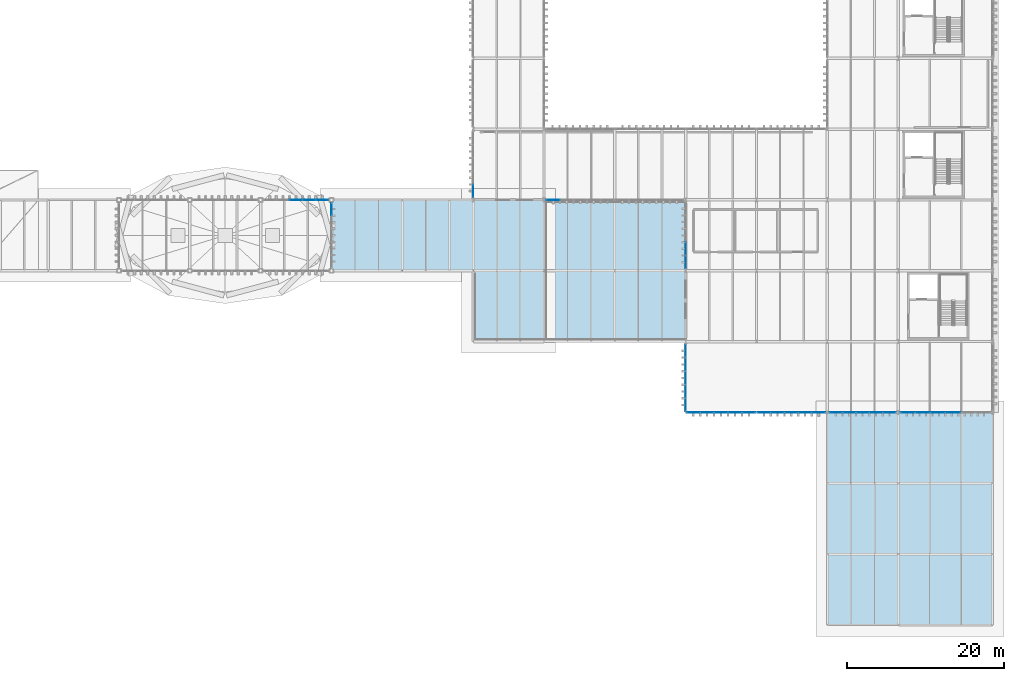
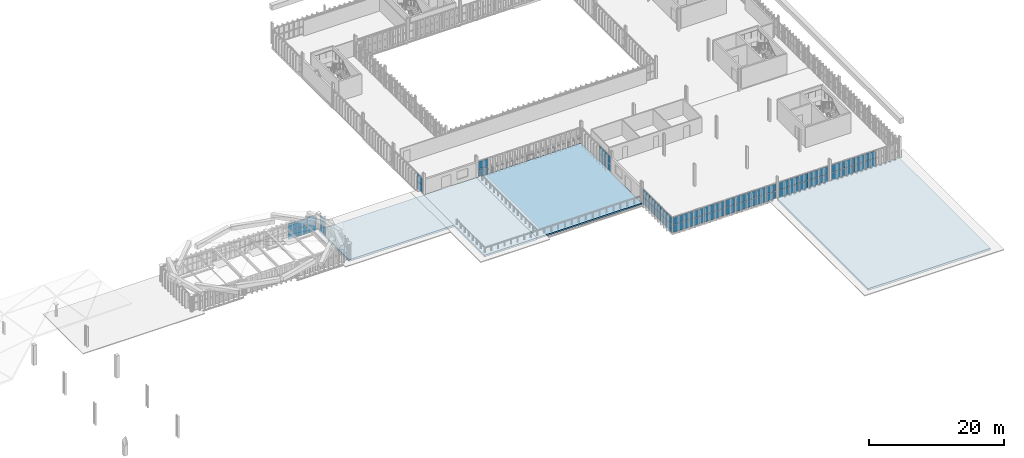
# One storey, part 81 of 102: 64 plates, 4 slabs, 10 elements without a shape of their own.
"""IFC4 building model written with IfcOpenShell, lengths in metres."""

from ifc_helpers import new_model, si_unit, direction, frame, origin, origin_2d, place, context, subcontext, project, spatial, polyline, rectangle, outline, extrude, material, layer, layer_set, type_object, element, aggregate, save


model = new_model("IFC4")

# Units and contexts
model_context = context("Model", 3, precision=1e-05, world=origin(), true_north=direction((0.0, 1.0)))
body_context = subcontext(model_context, "Body", "Model", "MODEL_VIEW")
ifc_project = project(units=[si_unit("LENGTHUNIT", "METRE"), si_unit("AREAUNIT", "SQUARE_METRE"), si_unit("VOLUMEUNIT", "CUBIC_METRE"), si_unit("PLANEANGLEUNIT", "RADIAN"), si_unit("MASSUNIT", "GRAM", prefix="KILO")], contexts=[model_context])

# Site, building, storey
site_placement = place(None, origin())
site = spatial("IfcSite", under=ifc_project, at=site_placement, CompositionType="ELEMENT")
building_placement = place(site_placement, origin())
building = spatial("IfcBuilding", under=site, at=building_placement, Name="Barlavento Convention Centre", CompositionType="ELEMENT")
storey_placement = place(building_placement, frame((0.0, 0.0, 22.800048828125)))
storey = spatial("IfcBuildingStorey", under=building, at=storey_placement, Name="L04", CompositionType="ELEMENT", Elevation=22.800048828125)

# Curtain wall, plates
ifc_material_1 = material(Name="Powder-coated aluminium and Low-E glass", Category="aluminium")
ifc_layer_1 = layer(ifc_material_1, 0.18505859375)
ifc_layer_set_1 = layer_set([ifc_layer_1], Name="ARC-CW-CONF-L04")
curtain_wall_type = type_object("IfcCurtainWallType", Name="ARC-CW-CONF-L04", PredefinedType="NOTDEFINED", material=ifc_layer_set_1)
curtain_wall_1_placement = place(storey_placement, origin())
curtain_wall_1 = element("IfcCurtainWall", 1, at=curtain_wall_1_placement, inside=storey, type_object=curtain_wall_type, Name="L04 unitised curtain wall CW09", PredefinedType="NOTDEFINED")
ifc_material_2 = material(Name="Double-silver Low-E insulated glass", Category="glass")
ifc_layer_2 = layer(ifc_material_2, 0.028076171875)
ifc_layer_set_2 = layer_set([ifc_layer_2], Name="ARC-CWP-GLZ28")
plate_type_1 = type_object("IfcPlateType", Name="ARC-CWP-GLZ28", PredefinedType="CURTAIN_PANEL", material=ifc_layer_set_2)
plate_1_placement = place(storey_placement, frame((153.97900390625, 27.0, 0.06005859375), z_axis=(0.0, 0.0, 1.0), x_axis=(1.0, 0.0, 0.0)))
plate_1 = element("IfcPlate", 2, at=plate_1_placement, type_object=plate_type_1, Name="CW09 panel 1.1", PredefinedType="CURTAIN_PANEL", context=body_context, shape_type="SweptSolid", body=[
    extrude(rectangle(XDim=1.677978515625, YDim=0.028076171875, at=origin_2d()), origin(), (0.0, 0.0, 1.0), 1.3349609375),
])
plate_2_placement = place(storey_placement, frame((153.97900390625, 27.0, 1.455078125), z_axis=(0.0, 0.0, 1.0), x_axis=(1.0, 0.0, 0.0)))
plate_2 = element("IfcPlate", 3, at=plate_2_placement, type_object=plate_type_1, Name="CW09 panel 1.2", PredefinedType="CURTAIN_PANEL", context=body_context, shape_type="SweptSolid", body=[
    extrude(rectangle(XDim=1.677978515625, YDim=0.028076171875, at=origin_2d()), origin(), (0.0, 0.0, 1.0), 1.3349609375),
])
plate_3_placement = place(storey_placement, frame((155.73193359375, 27.0, 0.06005859375), z_axis=(0.0, 0.0, 1.0), x_axis=(1.0, 0.0, 0.0)))
plate_3 = element("IfcPlate", 4, at=plate_3_placement, type_object=plate_type_1, Name="CW09 panel 2.1", PredefinedType="CURTAIN_PANEL", context=body_context, shape_type="SweptSolid", body=[
    extrude(rectangle(XDim=1.7080078125, YDim=0.028076171875, at=origin_2d()), origin(), (0.0, 0.0, 1.0), 1.3349609375),
])
plate_4_placement = place(storey_placement, frame((155.73193359375, 27.0, 1.455078125), z_axis=(0.0, 0.0, 1.0), x_axis=(1.0, 0.0, 0.0)))
plate_4 = element("IfcPlate", 5, at=plate_4_placement, type_object=plate_type_1, Name="CW09 panel 2.2", PredefinedType="CURTAIN_PANEL", context=body_context, shape_type="SweptSolid", body=[
    extrude(rectangle(XDim=1.7080078125, YDim=0.028076171875, at=origin_2d()), origin(), (0.0, 0.0, 1.0), 1.3349609375),
])
plate_5_placement = place(storey_placement, frame((157.5, 27.0, 0.06005859375), z_axis=(0.0, 0.0, 1.0), x_axis=(1.0, 0.0, 0.0)))
plate_5 = element("IfcPlate", 6, at=plate_5_placement, type_object=plate_type_1, Name="CW09 panel 3.1", PredefinedType="CURTAIN_PANEL", context=body_context, shape_type="SweptSolid", body=[
    extrude(rectangle(XDim=1.7080078125, YDim=0.028076171875, at=origin_2d()), origin(), (0.0, 0.0, 1.0), 1.3349609375),
])
plate_6_placement = place(storey_placement, frame((157.5, 27.0, 1.455078125), z_axis=(0.0, 0.0, 1.0), x_axis=(1.0, 0.0, 0.0)))
plate_6 = element("IfcPlate", 7, at=plate_6_placement, type_object=plate_type_1, Name="CW09 panel 3.2", PredefinedType="CURTAIN_PANEL", context=body_context, shape_type="SweptSolid", body=[
    extrude(rectangle(XDim=1.7080078125, YDim=0.028076171875, at=origin_2d()), origin(), (0.0, 0.0, 1.0), 1.3349609375),
])
plate_7_placement = place(storey_placement, frame((159.26806640625, 27.0, 0.06005859375), z_axis=(0.0, 0.0, 1.0), x_axis=(1.0, 0.0, 0.0)))
plate_7 = element("IfcPlate", 8, at=plate_7_placement, type_object=plate_type_1, Name="CW09 panel 4.1", PredefinedType="CURTAIN_PANEL", context=body_context, shape_type="SweptSolid", body=[
    extrude(rectangle(XDim=1.7080078125, YDim=0.028076171875, at=origin_2d()), origin(), (0.0, 0.0, 1.0), 1.3349609375),
])
plate_8_placement = place(storey_placement, frame((159.26806640625, 27.0, 1.455078125), z_axis=(0.0, 0.0, 1.0), x_axis=(1.0, 0.0, 0.0)))
plate_8 = element("IfcPlate", 9, at=plate_8_placement, type_object=plate_type_1, Name="CW09 panel 4.2", PredefinedType="CURTAIN_PANEL", context=body_context, shape_type="SweptSolid", body=[
    extrude(rectangle(XDim=1.7080078125, YDim=0.028076171875, at=origin_2d()), origin(), (0.0, 0.0, 1.0), 1.3349609375),
])
plate_9_placement = place(storey_placement, frame((161.02099609375, 27.0, 0.06005859375), z_axis=(0.0, 0.0, 1.0), x_axis=(1.0, 0.0, 0.0)))
plate_9 = element("IfcPlate", 10, at=plate_9_placement, type_object=plate_type_1, Name="CW09 panel 5.1", PredefinedType="CURTAIN_PANEL", context=body_context, shape_type="SweptSolid", body=[
    extrude(rectangle(XDim=1.677978515625, YDim=0.028076171875, at=origin_2d()), origin(), (0.0, 0.0, 1.0), 1.3349609375),
])
plate_10_placement = place(storey_placement, frame((161.02099609375, 27.0, 1.455078125), z_axis=(0.0, 0.0, 1.0), x_axis=(1.0, 0.0, 0.0)))
plate_10 = element("IfcPlate", 11, at=plate_10_placement, type_object=plate_type_1, Name="CW09 panel 5.2", PredefinedType="CURTAIN_PANEL", context=body_context, shape_type="SweptSolid", body=[
    extrude(rectangle(XDim=1.677978515625, YDim=0.028076171875, at=origin_2d()), origin(), (0.0, 0.0, 1.0), 1.3349609375),
])
aggregate(curtain_wall_1, [plate_1, plate_2, plate_3, plate_4, plate_5, plate_6, plate_7, plate_8, plate_9, plate_10])

curtain_wall_2_placement = place(storey_placement, origin())
curtain_wall_2 = element("IfcCurtainWall", 12, at=curtain_wall_2_placement, inside=storey, type_object=curtain_wall_type, Name="L04 unitised curtain wall CW09", PredefinedType="NOTDEFINED")
plate_11_placement = place(storey_placement, frame((162.964111328125, 27.0, 0.06005859375), z_axis=(0.0, 0.0, 1.0), x_axis=(1.0, 0.0, 0.0)))
plate_11 = element("IfcPlate", 13, at=plate_11_placement, type_object=plate_type_1, Name="CW09 panel 1.1", PredefinedType="CURTAIN_PANEL", context=body_context, shape_type="SweptSolid", body=[
    extrude(rectangle(XDim=1.64794921875, YDim=0.028076171875, at=origin_2d()), origin(), (0.0, 0.0, 1.0), 1.3349609375),
])
plate_12_placement = place(storey_placement, frame((162.964111328125, 27.0, 1.455078125), z_axis=(0.0, 0.0, 1.0), x_axis=(1.0, 0.0, 0.0)))
plate_12 = element("IfcPlate", 14, at=plate_12_placement, type_object=plate_type_1, Name="CW09 panel 1.2", PredefinedType="CURTAIN_PANEL", context=body_context, shape_type="SweptSolid", body=[
    extrude(rectangle(XDim=1.64794921875, YDim=0.028076171875, at=origin_2d()), origin(), (0.0, 0.0, 1.0), 1.3349609375),
])
plate_13_placement = place(storey_placement, frame((164.68701171875, 27.0, 0.06005859375), z_axis=(0.0, 0.0, 1.0), x_axis=(1.0, 0.0, 0.0)))
plate_13 = element("IfcPlate", 15, at=plate_13_placement, type_object=plate_type_1, Name="CW09 panel 2.1", PredefinedType="CURTAIN_PANEL", context=body_context, shape_type="SweptSolid", body=[
    extrude(rectangle(XDim=1.677978515625, YDim=0.028076171875, at=origin_2d()), origin(), (0.0, 0.0, 1.0), 1.3349609375),
])
plate_14_placement = place(storey_placement, frame((164.68701171875, 27.0, 1.455078125), z_axis=(0.0, 0.0, 1.0), x_axis=(1.0, 0.0, 0.0)))
plate_14 = element("IfcPlate", 16, at=plate_14_placement, type_object=plate_type_1, Name="CW09 panel 2.2", PredefinedType="CURTAIN_PANEL", context=body_context, shape_type="SweptSolid", body=[
    extrude(rectangle(XDim=1.677978515625, YDim=0.028076171875, at=origin_2d()), origin(), (0.0, 0.0, 1.0), 1.3349609375),
])
plate_15_placement = place(storey_placement, frame((166.425048828125, 27.0, 0.06005859375), z_axis=(0.0, 0.0, 1.0), x_axis=(1.0, 0.0, 0.0)))
plate_15 = element("IfcPlate", 17, at=plate_15_placement, type_object=plate_type_1, Name="CW09 panel 3.1", PredefinedType="CURTAIN_PANEL", context=body_context, shape_type="SweptSolid", body=[
    extrude(rectangle(XDim=1.677978515625, YDim=0.028076171875, at=origin_2d()), origin(), (0.0, 0.0, 1.0), 1.3349609375),
])
plate_16_placement = place(storey_placement, frame((166.425048828125, 27.0, 1.455078125), z_axis=(0.0, 0.0, 1.0), x_axis=(1.0, 0.0, 0.0)))
plate_16 = element("IfcPlate", 18, at=plate_16_placement, type_object=plate_type_1, Name="CW09 panel 3.2", PredefinedType="CURTAIN_PANEL", context=body_context, shape_type="SweptSolid", body=[
    extrude(rectangle(XDim=1.677978515625, YDim=0.028076171875, at=origin_2d()), origin(), (0.0, 0.0, 1.0), 1.3349609375),
])
plate_17_placement = place(storey_placement, frame((168.1630859375, 27.0, 0.06005859375), z_axis=(0.0, 0.0, 1.0), x_axis=(1.0, 0.0, 0.0)))
plate_17 = element("IfcPlate", 19, at=plate_17_placement, type_object=plate_type_1, Name="CW09 panel 4.1", PredefinedType="CURTAIN_PANEL", context=body_context, shape_type="SweptSolid", body=[
    extrude(rectangle(XDim=1.677978515625, YDim=0.028076171875, at=origin_2d()), origin(), (0.0, 0.0, 1.0), 1.3349609375),
])
plate_18_placement = place(storey_placement, frame((168.1630859375, 27.0, 1.455078125), z_axis=(0.0, 0.0, 1.0), x_axis=(1.0, 0.0, 0.0)))
plate_18 = element("IfcPlate", 20, at=plate_18_placement, type_object=plate_type_1, Name="CW09 panel 4.2", PredefinedType="CURTAIN_PANEL", context=body_context, shape_type="SweptSolid", body=[
    extrude(rectangle(XDim=1.677978515625, YDim=0.028076171875, at=origin_2d()), origin(), (0.0, 0.0, 1.0), 1.3349609375),
])
plate_19_placement = place(storey_placement, frame((169.885986328125, 27.0, 0.06005859375), z_axis=(0.0, 0.0, 1.0), x_axis=(1.0, 0.0, 0.0)))
plate_19 = element("IfcPlate", 21, at=plate_19_placement, type_object=plate_type_1, Name="CW09 panel 5.1", PredefinedType="CURTAIN_PANEL", context=body_context, shape_type="SweptSolid", body=[
    extrude(rectangle(XDim=1.64794921875, YDim=0.028076171875, at=origin_2d()), origin(), (0.0, 0.0, 1.0), 1.3349609375),
])
plate_20_placement = place(storey_placement, frame((169.885986328125, 27.0, 1.455078125), z_axis=(0.0, 0.0, 1.0), x_axis=(1.0, 0.0, 0.0)))
plate_20 = element("IfcPlate", 22, at=plate_20_placement, type_object=plate_type_1, Name="CW09 panel 5.2", PredefinedType="CURTAIN_PANEL", context=body_context, shape_type="SweptSolid", body=[
    extrude(rectangle(XDim=1.64794921875, YDim=0.028076171875, at=origin_2d()), origin(), (0.0, 0.0, 1.0), 1.3349609375),
])
aggregate(curtain_wall_2, [plate_11, plate_12, plate_13, plate_14, plate_15, plate_16, plate_17, plate_18, plate_19, plate_20])

curtain_wall_3_placement = place(storey_placement, origin())
curtain_wall_3 = element("IfcCurtainWall", 23, at=curtain_wall_3_placement, inside=storey, type_object=curtain_wall_type, Name="L04 unitised curtain wall CW09", PredefinedType="NOTDEFINED")
plate_21_placement = place(storey_placement, frame((172.095947265625, 27.0, 0.06005859375), z_axis=(0.0, 0.0, 1.0), x_axis=(1.0, 0.0, 0.0)))
plate_21 = element("IfcPlate", 24, at=plate_21_placement, type_object=plate_type_1, Name="CW09 panel 1.1", PredefinedType="CURTAIN_PANEL", context=body_context, shape_type="SweptSolid", body=[
    extrude(rectangle(XDim=1.612060546875, YDim=0.028076171875, at=origin_2d()), origin(), (0.0, 0.0, 1.0), 1.3349609375),
])
plate_22_placement = place(storey_placement, frame((172.095947265625, 27.0, 1.455078125), z_axis=(0.0, 0.0, 1.0), x_axis=(1.0, 0.0, 0.0)))
plate_22 = element("IfcPlate", 25, at=plate_22_placement, type_object=plate_type_1, Name="CW09 panel 1.2", PredefinedType="CURTAIN_PANEL", context=body_context, shape_type="SweptSolid", body=[
    extrude(rectangle(XDim=1.612060546875, YDim=0.028076171875, at=origin_2d()), origin(), (0.0, 0.0, 1.0), 1.3349609375),
])
plate_23_placement = place(storey_placement, frame((173.782958984375, 27.0, 0.06005859375), z_axis=(0.0, 0.0, 1.0), x_axis=(1.0, 0.0, 0.0)))
plate_23 = element("IfcPlate", 26, at=plate_23_placement, type_object=plate_type_1, Name="CW09 panel 2.1", PredefinedType="CURTAIN_PANEL", context=body_context, shape_type="SweptSolid", body=[
    extrude(rectangle(XDim=1.64208984375, YDim=0.028076171875, at=origin_2d()), origin(), (0.0, 0.0, 1.0), 1.3349609375),
])
plate_24_placement = place(storey_placement, frame((173.782958984375, 27.0, 1.455078125), z_axis=(0.0, 0.0, 1.0), x_axis=(1.0, 0.0, 0.0)))
plate_24 = element("IfcPlate", 27, at=plate_24_placement, type_object=plate_type_1, Name="CW09 panel 2.2", PredefinedType="CURTAIN_PANEL", context=body_context, shape_type="SweptSolid", body=[
    extrude(rectangle(XDim=1.64208984375, YDim=0.028076171875, at=origin_2d()), origin(), (0.0, 0.0, 1.0), 1.3349609375),
])
plate_25_placement = place(storey_placement, frame((175.485107421875, 27.0, 0.06005859375), z_axis=(0.0, 0.0, 1.0), x_axis=(1.0, 0.0, 0.0)))
plate_25 = element("IfcPlate", 28, at=plate_25_placement, type_object=plate_type_1, Name="CW09 panel 3.1", PredefinedType="CURTAIN_PANEL", context=body_context, shape_type="SweptSolid", body=[
    extrude(rectangle(XDim=1.64208984375, YDim=0.028076171875, at=origin_2d()), origin(), (0.0, 0.0, 1.0), 1.3349609375),
])
plate_26_placement = place(storey_placement, frame((175.485107421875, 27.0, 1.455078125), z_axis=(0.0, 0.0, 1.0), x_axis=(1.0, 0.0, 0.0)))
plate_26 = element("IfcPlate", 29, at=plate_26_placement, type_object=plate_type_1, Name="CW09 panel 3.2", PredefinedType="CURTAIN_PANEL", context=body_context, shape_type="SweptSolid", body=[
    extrude(rectangle(XDim=1.64208984375, YDim=0.028076171875, at=origin_2d()), origin(), (0.0, 0.0, 1.0), 1.3349609375),
])
plate_27_placement = place(storey_placement, frame((177.18701171875, 27.0, 0.06005859375), z_axis=(0.0, 0.0, 1.0), x_axis=(1.0, 0.0, 0.0)))
plate_27 = element("IfcPlate", 30, at=plate_27_placement, type_object=plate_type_1, Name="CW09 panel 4.1", PredefinedType="CURTAIN_PANEL", context=body_context, shape_type="SweptSolid", body=[
    extrude(rectangle(XDim=1.64208984375, YDim=0.028076171875, at=origin_2d()), origin(), (0.0, 0.0, 1.0), 1.3349609375),
])
plate_28_placement = place(storey_placement, frame((177.18701171875, 27.0, 1.455078125), z_axis=(0.0, 0.0, 1.0), x_axis=(1.0, 0.0, 0.0)))
plate_28 = element("IfcPlate", 31, at=plate_28_placement, type_object=plate_type_1, Name="CW09 panel 4.2", PredefinedType="CURTAIN_PANEL", context=body_context, shape_type="SweptSolid", body=[
    extrude(rectangle(XDim=1.64208984375, YDim=0.028076171875, at=origin_2d()), origin(), (0.0, 0.0, 1.0), 1.3349609375),
])
plate_29_placement = place(storey_placement, frame((178.8740234375, 27.0, 0.06005859375), z_axis=(0.0, 0.0, 1.0), x_axis=(1.0, 0.0, 0.0)))
plate_29 = element("IfcPlate", 32, at=plate_29_placement, type_object=plate_type_1, Name="CW09 panel 5.1", PredefinedType="CURTAIN_PANEL", context=body_context, shape_type="SweptSolid", body=[
    extrude(rectangle(XDim=1.612060546875, YDim=0.028076171875, at=origin_2d()), origin(), (0.0, 0.0, 1.0), 1.3349609375),
])
plate_30_placement = place(storey_placement, frame((178.8740234375, 27.0, 1.455078125), z_axis=(0.0, 0.0, 1.0), x_axis=(1.0, 0.0, 0.0)))
plate_30 = element("IfcPlate", 33, at=plate_30_placement, type_object=plate_type_1, Name="CW09 panel 5.2", PredefinedType="CURTAIN_PANEL", context=body_context, shape_type="SweptSolid", body=[
    extrude(rectangle(XDim=1.612060546875, YDim=0.028076171875, at=origin_2d()), origin(), (0.0, 0.0, 1.0), 1.3349609375),
])
aggregate(curtain_wall_3, [plate_21, plate_22, plate_23, plate_24, plate_25, plate_26, plate_27, plate_28, plate_29, plate_30])

curtain_wall_4_placement = place(storey_placement, origin())
curtain_wall_4 = element("IfcCurtainWall", 34, at=curtain_wall_4_placement, inside=storey, type_object=curtain_wall_type, Name="L04 unitised curtain wall CW09", PredefinedType="NOTDEFINED")
plate_31_placement = place(storey_placement, frame((181.231689453125, 27.0, 0.06005859375), z_axis=(0.0, 0.0, 1.0), x_axis=(1.0, 0.0, 0.0)))
plate_31 = element("IfcPlate", 35, at=plate_31_placement, type_object=plate_type_1, Name="CW09 panel 1.1", PredefinedType="CURTAIN_PANEL", context=body_context, shape_type="SweptSolid", body=[
    extrude(rectangle(XDim=1.8232421875, YDim=0.028076171875, at=origin_2d()), origin(), (0.0, 0.0, 1.0), 1.3349609375),
])
plate_32_placement = place(storey_placement, frame((181.231689453125, 27.0, 1.455078125), z_axis=(0.0, 0.0, 1.0), x_axis=(1.0, 0.0, 0.0)))
plate_32 = element("IfcPlate", 36, at=plate_32_placement, type_object=plate_type_1, Name="CW09 panel 1.2", PredefinedType="CURTAIN_PANEL", context=body_context, shape_type="SweptSolid", body=[
    extrude(rectangle(XDim=1.8232421875, YDim=0.028076171875, at=origin_2d()), origin(), (0.0, 0.0, 1.0), 1.3349609375),
])
plate_33_placement = place(storey_placement, frame((183.1298828125, 27.0, 0.06005859375), z_axis=(0.0, 0.0, 1.0), x_axis=(1.0, 0.0, 0.0)))
plate_33 = element("IfcPlate", 37, at=plate_33_placement, type_object=plate_type_1, Name="CW09 panel 2.1", PredefinedType="CURTAIN_PANEL", context=body_context, shape_type="SweptSolid", body=[
    extrude(rectangle(XDim=1.853271484375, YDim=0.028076171875, at=origin_2d()), origin(), (0.0, 0.0, 1.0), 1.3349609375),
])
plate_34_placement = place(storey_placement, frame((183.1298828125, 27.0, 1.455078125), z_axis=(0.0, 0.0, 1.0), x_axis=(1.0, 0.0, 0.0)))
plate_34 = element("IfcPlate", 38, at=plate_34_placement, type_object=plate_type_1, Name="CW09 panel 2.2", PredefinedType="CURTAIN_PANEL", context=body_context, shape_type="SweptSolid", body=[
    extrude(rectangle(XDim=1.853271484375, YDim=0.028076171875, at=origin_2d()), origin(), (0.0, 0.0, 1.0), 1.3349609375),
])
plate_35_placement = place(storey_placement, frame((185.043212890625, 27.0, 0.06005859375), z_axis=(0.0, 0.0, 1.0), x_axis=(1.0, 0.0, 0.0)))
plate_35 = element("IfcPlate", 39, at=plate_35_placement, type_object=plate_type_1, Name="CW09 panel 3.1", PredefinedType="CURTAIN_PANEL", context=body_context, shape_type="SweptSolid", body=[
    extrude(rectangle(XDim=1.853271484375, YDim=0.028076171875, at=origin_2d()), origin(), (0.0, 0.0, 1.0), 1.3349609375),
])
plate_36_placement = place(storey_placement, frame((185.043212890625, 27.0, 1.455078125), z_axis=(0.0, 0.0, 1.0), x_axis=(1.0, 0.0, 0.0)))
plate_36 = element("IfcPlate", 40, at=plate_36_placement, type_object=plate_type_1, Name="CW09 panel 3.2", PredefinedType="CURTAIN_PANEL", context=body_context, shape_type="SweptSolid", body=[
    extrude(rectangle(XDim=1.853271484375, YDim=0.028076171875, at=origin_2d()), origin(), (0.0, 0.0, 1.0), 1.3349609375),
])
plate_37_placement = place(storey_placement, frame((186.956787109375, 27.0, 0.06005859375), z_axis=(0.0, 0.0, 1.0), x_axis=(1.0, 0.0, 0.0)))
plate_37 = element("IfcPlate", 41, at=plate_37_placement, type_object=plate_type_1, Name="CW09 panel 4.1", PredefinedType="CURTAIN_PANEL", context=body_context, shape_type="SweptSolid", body=[
    extrude(rectangle(XDim=1.853271484375, YDim=0.028076171875, at=origin_2d()), origin(), (0.0, 0.0, 1.0), 1.3349609375),
])
plate_38_placement = place(storey_placement, frame((186.956787109375, 27.0, 1.455078125), z_axis=(0.0, 0.0, 1.0), x_axis=(1.0, 0.0, 0.0)))
plate_38 = element("IfcPlate", 42, at=plate_38_placement, type_object=plate_type_1, Name="CW09 panel 4.2", PredefinedType="CURTAIN_PANEL", context=body_context, shape_type="SweptSolid", body=[
    extrude(rectangle(XDim=1.853271484375, YDim=0.028076171875, at=origin_2d()), origin(), (0.0, 0.0, 1.0), 1.3349609375),
])
aggregate(curtain_wall_4, [plate_31, plate_32, plate_33, plate_34, plate_35, plate_36, plate_37, plate_38])

curtain_wall_5_placement = place(storey_placement, origin())
curtain_wall_5 = element("IfcCurtainWall", 43, at=curtain_wall_5_placement, inside=storey, type_object=curtain_wall_type, Name="L04 unitised curtain wall CW09", PredefinedType="NOTDEFINED")
plate_39_placement = place(storey_placement, frame((153.0, 27.9560546875, 0.06005859375), z_axis=(0.0, 0.0, 1.0), x_axis=(0.0, 1.0, 0.0)))
plate_39 = element("IfcPlate", 44, at=plate_39_placement, type_object=plate_type_1, Name="CW09 panel 1.1", PredefinedType="CURTAIN_PANEL", context=body_context, shape_type="SweptSolid", body=[
    extrude(rectangle(XDim=1.632080078125, YDim=0.028076171875, at=origin_2d()), origin(), (0.0, 0.0, 1.0), 1.3349609375),
])
plate_40_placement = place(storey_placement, frame((153.0, 27.9560546875, 1.455078125), z_axis=(0.0, 0.0, 1.0), x_axis=(0.0, 1.0, 0.0)))
plate_40 = element("IfcPlate", 45, at=plate_40_placement, type_object=plate_type_1, Name="CW09 panel 1.2", PredefinedType="CURTAIN_PANEL", context=body_context, shape_type="SweptSolid", body=[
    extrude(rectangle(XDim=1.632080078125, YDim=0.028076171875, at=origin_2d()), origin(), (0.0, 0.0, 1.0), 1.3349609375),
])
plate_41_placement = place(storey_placement, frame((153.0, 29.6630859375, 0.06005859375), z_axis=(0.0, 0.0, 1.0), x_axis=(0.0, 1.0, 0.0)))
plate_41 = element("IfcPlate", 46, at=plate_41_placement, type_object=plate_type_1, Name="CW09 panel 2.1", PredefinedType="CURTAIN_PANEL", context=body_context, shape_type="SweptSolid", body=[
    extrude(rectangle(XDim=1.662109375, YDim=0.028076171875, at=origin_2d()), origin(), (0.0, 0.0, 1.0), 1.3349609375),
])
plate_42_placement = place(storey_placement, frame((153.0, 29.6630859375, 1.455078125), z_axis=(0.0, 0.0, 1.0), x_axis=(0.0, 1.0, 0.0)))
plate_42 = element("IfcPlate", 47, at=plate_42_placement, type_object=plate_type_1, Name="CW09 panel 2.2", PredefinedType="CURTAIN_PANEL", context=body_context, shape_type="SweptSolid", body=[
    extrude(rectangle(XDim=1.662109375, YDim=0.028076171875, at=origin_2d()), origin(), (0.0, 0.0, 1.0), 1.3349609375),
])
plate_43_placement = place(storey_placement, frame((153.0, 31.385009765625, 0.06005859375), z_axis=(0.0, 0.0, 1.0), x_axis=(0.0, 1.0, 0.0)))
plate_43 = element("IfcPlate", 48, at=plate_43_placement, type_object=plate_type_1, Name="CW09 panel 3.1", PredefinedType="CURTAIN_PANEL", context=body_context, shape_type="SweptSolid", body=[
    extrude(rectangle(XDim=1.662109375, YDim=0.028076171875, at=origin_2d()), origin(), (0.0, 0.0, 1.0), 1.3349609375),
])
plate_44_placement = place(storey_placement, frame((153.0, 31.385009765625, 1.455078125), z_axis=(0.0, 0.0, 1.0), x_axis=(0.0, 1.0, 0.0)))
plate_44 = element("IfcPlate", 49, at=plate_44_placement, type_object=plate_type_1, Name="CW09 panel 3.2", PredefinedType="CURTAIN_PANEL", context=body_context, shape_type="SweptSolid", body=[
    extrude(rectangle(XDim=1.662109375, YDim=0.028076171875, at=origin_2d()), origin(), (0.0, 0.0, 1.0), 1.3349609375),
])
plate_45_placement = place(storey_placement, frame((153.0, 33.10693359375, 0.06005859375), z_axis=(0.0, 0.0, 1.0), x_axis=(0.0, 1.0, 0.0)))
plate_45 = element("IfcPlate", 50, at=plate_45_placement, type_object=plate_type_1, Name="CW09 panel 4.1", PredefinedType="CURTAIN_PANEL", context=body_context, shape_type="SweptSolid", body=[
    extrude(rectangle(XDim=1.662109375, YDim=0.028076171875, at=origin_2d()), origin(), (0.0, 0.0, 1.0), 1.3349609375),
])
plate_46_placement = place(storey_placement, frame((153.0, 33.10693359375, 1.455078125), z_axis=(0.0, 0.0, 1.0), x_axis=(0.0, 1.0, 0.0)))
plate_46 = element("IfcPlate", 51, at=plate_46_placement, type_object=plate_type_1, Name="CW09 panel 4.2", PredefinedType="CURTAIN_PANEL", context=body_context, shape_type="SweptSolid", body=[
    extrude(rectangle(XDim=1.662109375, YDim=0.028076171875, at=origin_2d()), origin(), (0.0, 0.0, 1.0), 1.3349609375),
])
plate_47_placement = place(storey_placement, frame((153.0, 34.81396484375, 0.06005859375), z_axis=(0.0, 0.0, 1.0), x_axis=(0.0, 1.0, 0.0)))
plate_47 = element("IfcPlate", 52, at=plate_47_placement, type_object=plate_type_1, Name="CW09 panel 5.1", PredefinedType="CURTAIN_PANEL", context=body_context, shape_type="SweptSolid", body=[
    extrude(rectangle(XDim=1.632080078125, YDim=0.028076171875, at=origin_2d()), origin(), (0.0, 0.0, 1.0), 1.3349609375),
])
plate_48_placement = place(storey_placement, frame((153.0, 34.81396484375, 1.455078125), z_axis=(0.0, 0.0, 1.0), x_axis=(0.0, 1.0, 0.0)))
plate_48 = element("IfcPlate", 53, at=plate_48_placement, type_object=plate_type_1, Name="CW09 panel 5.2", PredefinedType="CURTAIN_PANEL", context=body_context, shape_type="SweptSolid", body=[
    extrude(rectangle(XDim=1.632080078125, YDim=0.028076171875, at=origin_2d()), origin(), (0.0, 0.0, 1.0), 1.3349609375),
])
aggregate(curtain_wall_5, [plate_39, plate_40, plate_41, plate_42, plate_43, plate_44, plate_45, plate_46, plate_47, plate_48])

curtain_wall_6_placement = place(storey_placement, origin())
curtain_wall_6 = element("IfcCurtainWall", 54, at=curtain_wall_6_placement, inside=storey, type_object=curtain_wall_type, Name="L04 unitised curtain wall CW09", PredefinedType="NOTDEFINED")
plate_49_placement = place(storey_placement, frame((153.0, 46.095947265625, 0.06005859375), z_axis=(0.0, 0.0, 1.0), x_axis=(0.0, 1.0, 0.0)))
plate_49 = element("IfcPlate", 55, at=plate_49_placement, type_object=plate_type_1, Name="CW09 panel 1.1", PredefinedType="CURTAIN_PANEL", context=body_context, shape_type="SweptSolid", body=[
    extrude(rectangle(XDim=1.612060546875, YDim=0.028076171875, at=origin_2d()), origin(), (0.0, 0.0, 1.0), 1.3349609375),
])
plate_50_placement = place(storey_placement, frame((153.0, 46.095947265625, 1.455078125), z_axis=(0.0, 0.0, 1.0), x_axis=(0.0, 1.0, 0.0)))
plate_50 = element("IfcPlate", 56, at=plate_50_placement, type_object=plate_type_1, Name="CW09 panel 1.2", PredefinedType="CURTAIN_PANEL", context=body_context, shape_type="SweptSolid", body=[
    extrude(rectangle(XDim=1.612060546875, YDim=0.028076171875, at=origin_2d()), origin(), (0.0, 0.0, 1.0), 1.3349609375),
])
plate_51_placement = place(storey_placement, frame((153.0, 47.782958984375, 0.06005859375), z_axis=(0.0, 0.0, 1.0), x_axis=(0.0, 1.0, 0.0)))
plate_51 = element("IfcPlate", 57, at=plate_51_placement, type_object=plate_type_1, Name="CW09 panel 2.1", PredefinedType="CURTAIN_PANEL", context=body_context, shape_type="SweptSolid", body=[
    extrude(rectangle(XDim=1.64208984375, YDim=0.028076171875, at=origin_2d()), origin(), (0.0, 0.0, 1.0), 1.3349609375),
])
plate_52_placement = place(storey_placement, frame((153.0, 47.782958984375, 1.455078125), z_axis=(0.0, 0.0, 1.0), x_axis=(0.0, 1.0, 0.0)))
plate_52 = element("IfcPlate", 58, at=plate_52_placement, type_object=plate_type_1, Name="CW09 panel 2.2", PredefinedType="CURTAIN_PANEL", context=body_context, shape_type="SweptSolid", body=[
    extrude(rectangle(XDim=1.64208984375, YDim=0.028076171875, at=origin_2d()), origin(), (0.0, 0.0, 1.0), 1.3349609375),
])
aggregate(curtain_wall_6, [plate_49, plate_50, plate_51, plate_52])

curtain_wall_7_placement = place(storey_placement, origin())
curtain_wall_7 = element("IfcCurtainWall", 59, at=curtain_wall_7_placement, inside=storey, type_object=curtain_wall_type, Name="L04 unitised curtain wall CW09", PredefinedType="NOTDEFINED")
plate_53_placement = place(storey_placement, frame((136.18603515625, 54.0, 0.06005859375), z_axis=(0.0, 0.0, 1.0), x_axis=(1.0, 0.0, 0.0)))
plate_53 = element("IfcPlate", 60, at=plate_53_placement, type_object=plate_type_1, Name="CW09 panel 1.1", PredefinedType="CURTAIN_PANEL", context=body_context, shape_type="SweptSolid", body=[
    extrude(rectangle(XDim=1.632080078125, YDim=0.028076171875, at=origin_2d()), origin(), (0.0, 0.0, 1.0), 1.3349609375),
])
plate_54_placement = place(storey_placement, frame((136.18603515625, 54.0, 1.455078125), z_axis=(0.0, 0.0, 1.0), x_axis=(1.0, 0.0, 0.0)))
plate_54 = element("IfcPlate", 61, at=plate_54_placement, type_object=plate_type_1, Name="CW09 panel 1.2", PredefinedType="CURTAIN_PANEL", context=body_context, shape_type="SweptSolid", body=[
    extrude(rectangle(XDim=1.632080078125, YDim=0.028076171875, at=origin_2d()), origin(), (0.0, 0.0, 1.0), 1.3349609375),
])
aggregate(curtain_wall_7, [plate_53, plate_54])

curtain_wall_8_placement = place(storey_placement, origin())
curtain_wall_8 = element("IfcCurtainWall", 62, at=curtain_wall_8_placement, inside=storey, type_object=curtain_wall_type, Name="L04 unitised curtain wall CW09", PredefinedType="NOTDEFINED")
plate_55_placement = place(storey_placement, frame((126.0, 55.140380859375, 0.06005859375), z_axis=(0.0, 0.0, 1.0), x_axis=(0.0, 1.0, 0.0)))
plate_55 = element("IfcPlate", 63, at=plate_55_placement, type_object=plate_type_1, Name="CW09 panel 1.1", PredefinedType="CURTAIN_PANEL", context=body_context, shape_type="SweptSolid", body=[
    extrude(rectangle(XDim=1.591064453125, YDim=0.028076171875, at=origin_2d()), origin(), (0.0, 0.0, 1.0), 1.3349609375),
])
plate_56_placement = place(storey_placement, frame((126.0, 55.140380859375, 1.455078125), z_axis=(0.0, 0.0, 1.0), x_axis=(0.0, 1.0, 0.0)))
plate_56 = element("IfcPlate", 64, at=plate_56_placement, type_object=plate_type_1, Name="CW09 panel 1.2", PredefinedType="CURTAIN_PANEL", context=body_context, shape_type="SweptSolid", body=[
    extrude(rectangle(XDim=1.591064453125, YDim=0.028076171875, at=origin_2d()), origin(), (0.0, 0.0, 1.0), 1.3349609375),
])
aggregate(curtain_wall_8, [plate_55, plate_56])

curtain_wall_9_placement = place(storey_placement, origin())
curtain_wall_9 = element("IfcCurtainWall", 65, at=curtain_wall_9_placement, inside=storey, type_object=curtain_wall_type, Name="L04 unitised curtain wall CW09", PredefinedType="NOTDEFINED")
ifc_material_3 = material(Name="Double-silver Low-E acoustic laminated glass", Category="glass")
ifc_layer_3 = layer(ifc_material_3, 0.031982421875)
ifc_layer_set_3 = layer_set([ifc_layer_3], Name="ARC-CWP-GLZ32")
plate_type_2 = type_object("IfcPlateType", Name="ARC-CWP-GLZ32", PredefinedType="CURTAIN_PANEL", material=ifc_layer_set_3)
plate_57_placement = place(storey_placement, frame((103.5, 54.0, 0.06494140625), z_axis=(0.0, 0.0, 1.0), x_axis=(1.0, 0.0, 0.0)))
plate_57 = element("IfcPlate", 66, at=plate_57_placement, type_object=plate_type_2, Name="CW09 panel 3.1", PredefinedType="CURTAIN_PANEL", context=body_context, shape_type="SweptSolid", body=[
    extrude(rectangle(XDim=1.601318359375, YDim=0.031982421875, at=origin_2d()), origin(), (0.0, 0.0, 1.0), 1.402587890625),
])
plate_58_placement = place(storey_placement, frame((103.5, 54.0, 1.5322265625), z_axis=(0.0, 0.0, 1.0), x_axis=(1.0, 0.0, 0.0)))
plate_58 = element("IfcPlate", 67, at=plate_58_placement, type_object=plate_type_2, Name="CW09 panel 3.2", PredefinedType="CURTAIN_PANEL", context=body_context, shape_type="SweptSolid", body=[
    extrude(rectangle(XDim=1.601318359375, YDim=0.031982421875, at=origin_2d()), origin(), (0.0, 0.0, 1.0), 1.402587890625),
])
plate_59_placement = place(storey_placement, frame((105.16650390625, 54.0, 0.06494140625), z_axis=(0.0, 0.0, 1.0), x_axis=(1.0, 0.0, 0.0)))
plate_59 = element("IfcPlate", 68, at=plate_59_placement, type_object=plate_type_2, Name="CW09 panel 4.1", PredefinedType="CURTAIN_PANEL", context=body_context, shape_type="SweptSolid", body=[
    extrude(rectangle(XDim=1.601318359375, YDim=0.031982421875, at=origin_2d()), origin(), (0.0, 0.0, 1.0), 1.402587890625),
])
plate_60_placement = place(storey_placement, frame((105.16650390625, 54.0, 1.5322265625), z_axis=(0.0, 0.0, 1.0), x_axis=(1.0, 0.0, 0.0)))
plate_60 = element("IfcPlate", 69, at=plate_60_placement, type_object=plate_type_2, Name="CW09 panel 4.2", PredefinedType="CURTAIN_PANEL", context=body_context, shape_type="SweptSolid", body=[
    extrude(rectangle(XDim=1.601318359375, YDim=0.031982421875, at=origin_2d()), origin(), (0.0, 0.0, 1.0), 1.402587890625),
])
plate_61_placement = place(storey_placement, frame((106.816650390625, 54.0, 0.06494140625), z_axis=(0.0, 0.0, 1.0), x_axis=(1.0, 0.0, 0.0)))
plate_61 = element("IfcPlate", 70, at=plate_61_placement, type_object=plate_type_2, Name="CW09 panel 5.1", PredefinedType="CURTAIN_PANEL", context=body_context, shape_type="SweptSolid", body=[
    extrude(rectangle(XDim=1.56884765625, YDim=0.031982421875, at=origin_2d()), origin(), (0.0, 0.0, 1.0), 1.402587890625),
])
plate_62_placement = place(storey_placement, frame((106.816650390625, 54.0, 1.5322265625), z_axis=(0.0, 0.0, 1.0), x_axis=(1.0, 0.0, 0.0)))
plate_62 = element("IfcPlate", 71, at=plate_62_placement, type_object=plate_type_2, Name="CW09 panel 5.2", PredefinedType="CURTAIN_PANEL", context=body_context, shape_type="SweptSolid", body=[
    extrude(rectangle(XDim=1.56884765625, YDim=0.031982421875, at=origin_2d()), origin(), (0.0, 0.0, 1.0), 1.402587890625),
])
aggregate(curtain_wall_9, [plate_57, plate_58, plate_59, plate_60, plate_61, plate_62])

curtain_wall_10_placement = place(storey_placement, origin())
curtain_wall_10 = element("IfcCurtainWall", 72, at=curtain_wall_10_placement, inside=storey, type_object=curtain_wall_type, Name="L04 unitised curtain wall CW09", PredefinedType="NOTDEFINED")
plate_63_placement = place(storey_placement, frame((108.0, 52.816650390625, 0.06494140625), z_axis=(0.0, 0.0, 1.0), x_axis=(0.0, 1.0, 0.0)))
plate_63 = element("IfcPlate", 73, at=plate_63_placement, type_object=plate_type_2, Name="CW09 panel 5.1", PredefinedType="CURTAIN_PANEL", context=body_context, shape_type="SweptSolid", body=[
    extrude(rectangle(XDim=1.56884765625, YDim=0.031982421875, at=origin_2d()), origin(), (0.0, 0.0, 1.0), 1.402587890625),
])
plate_64_placement = place(storey_placement, frame((108.0, 52.816650390625, 1.5322265625), z_axis=(0.0, 0.0, 1.0), x_axis=(0.0, 1.0, 0.0)))
plate_64 = element("IfcPlate", 74, at=plate_64_placement, type_object=plate_type_2, Name="CW09 panel 5.2", PredefinedType="CURTAIN_PANEL", context=body_context, shape_type="SweptSolid", body=[
    extrude(rectangle(XDim=1.56884765625, YDim=0.031982421875, at=origin_2d()), origin(), (0.0, 0.0, 1.0), 1.402587890625),
])
aggregate(curtain_wall_10, [plate_63, plate_64])

# Slabs
ifc_material_4 = material(Name="Concrete C40/50", Category="concrete")
ifc_layer_4 = layer(ifc_material_4, 0.260009765625)
ifc_layer_set_4 = layer_set([ifc_layer_4], Name="ARC-SLB-TERR-260")
slab_type_1 = type_object("IfcSlabType", Name="ARC-SLB-TERR-260", PredefinedType="FLOOR", material=ifc_layer_set_4)
slab_1_placement = place(storey_placement, frame((0.0, 0.0, -0.260009765625)))
element("IfcSlab", 75, at=slab_1_placement, inside=storey, type_object=slab_type_1, Name="L04 outdoor terrace or apron slab TS-401", PredefinedType="FLOOR", context=body_context, shape_type="SweptSolid", body=[
    extrude(outline(polyline([(135.0, 36.0), (153.0, 36.0), (153.0, 54.0), (135.0, 54.0), (135.0, 36.0)])), origin(), (0.0, 0.0, 1.0), 0.260009765625),
])
ifc_layer_5 = layer(ifc_material_4, 0.344970703125)
ifc_layer_set_5 = layer_set([ifc_layer_5], Name="STR-SLB-ROOF-340")
slab_type_2 = type_object("IfcSlabType", Name="STR-SLB-ROOF-340", PredefinedType="ROOF", material=ifc_layer_set_5)
slab_2_placement = place(storey_placement, frame((0.0, 0.0, -0.344970703125)))
element("IfcSlab", 76, at=slab_2_placement, inside=storey, type_object=slab_type_2, Name="L04 structural flat roof slab RS-404", PredefinedType="ROOF", context=body_context, shape_type="SweptSolid", body=[
    extrude(outline(polyline([(108.0, 45.0), (126.0, 45.0), (126.0, 54.0), (108.0, 54.0), (108.0, 45.0)])), origin(), (0.0, 0.0, 1.0), 0.344970703125),
])
slab_3_placement = place(storey_placement, frame((0.0, 0.0, -0.344970703125)))
element("IfcSlab", 77, at=slab_3_placement, inside=storey, type_object=slab_type_2, Name="L04 structural flat roof slab RS-403", PredefinedType="ROOF", context=body_context, shape_type="SweptSolid", body=[
    extrude(outline(polyline([(126.0, 36.0), (135.0, 36.0), (135.0, 54.0), (126.0, 54.0), (126.0, 36.0)])), origin(), (0.0, 0.0, 1.0), 0.344970703125),
])
ifc_layer_6 = layer(ifc_material_4, 0.364990234375)
ifc_layer_set_6 = layer_set([ifc_layer_6], Name="STR-SLB-ROOF-360")
slab_type_3 = type_object("IfcSlabType", Name="STR-SLB-ROOF-360", PredefinedType="ROOF", material=ifc_layer_set_6)
slab_4_placement = place(storey_placement, frame((0.0, 0.0, -0.364990234375)))
element("IfcSlab", 78, at=slab_4_placement, inside=storey, type_object=slab_type_3, Name="L04 structural flat roof slab RS-402", PredefinedType="ROOF", context=body_context, shape_type="SweptSolid", body=[
    extrude(outline(polyline([(171.0, 0.0), (192.0, 0.0), (192.0, 27.0), (171.0, 27.0), (171.0, 0.0)])), origin(), (0.0, 0.0, 1.0), 0.364990234375),
])

save(model, "model.ifc")
